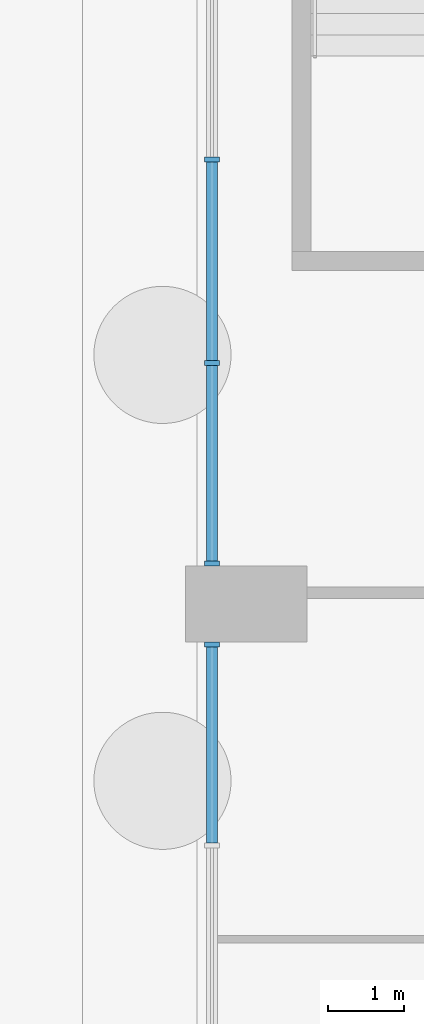
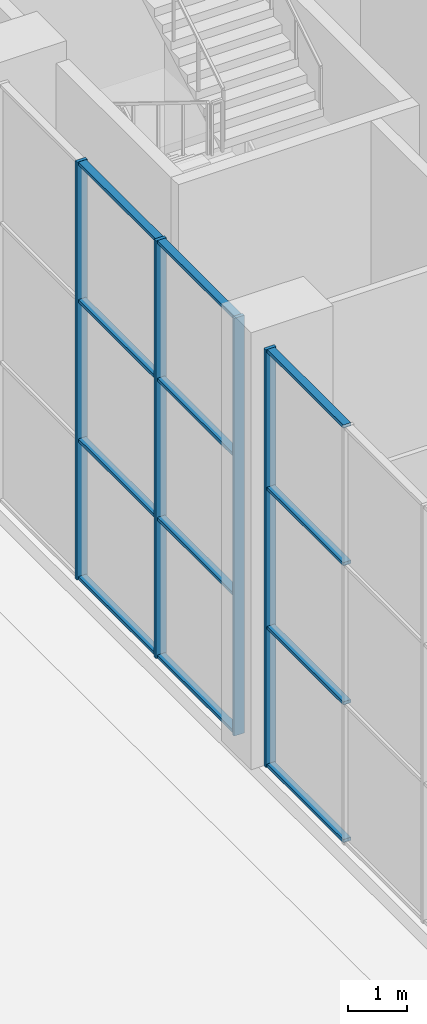
# One storey, part 3 of 25: 16 members, 2 elements without a shape of their own.
"""IFC4 building model written with IfcOpenShell, lengths in metres."""

from ifc_helpers import new_model, si_unit, direction, frame, origin, origin_2d, place, context, subcontext, project, spatial, rectangle, extrude, material, material_profile, profile_set, type_object, element, aggregate, save


model = new_model("IFC4")

# Units and contexts
model_context = context("Model", 3, precision=1e-05, world=origin(), true_north=direction((0.0, 1.0)))
body_context = subcontext(model_context, "Body", "Model", "MODEL_VIEW")
ifc_project = project(units=[si_unit("LENGTHUNIT", "METRE"), si_unit("AREAUNIT", "SQUARE_METRE"), si_unit("VOLUMEUNIT", "CUBIC_METRE"), si_unit("PLANEANGLEUNIT", "RADIAN"), si_unit("MASSUNIT", "GRAM", prefix="KILO")], contexts=[model_context])

# Site, building, storey
site_placement = place(None, origin())
site = spatial("IfcSite", under=ifc_project, at=site_placement, CompositionType="ELEMENT")
building_placement = place(site_placement, origin())
building = spatial("IfcBuilding", under=site, at=building_placement, Name="Cypress Arch Tower", CompositionType="ELEMENT")
storey_placement = place(building_placement, origin())
storey = spatial("IfcBuildingStorey", under=building, at=storey_placement, Name="L00", CompositionType="ELEMENT", Elevation=0.0)

# Curtain wall, members
ifc_material_1 = material(Name="Anodised aluminium, bronze finish, clear laminated low-emissivity double glazing", Category="aluminium")
curtain_wall_type = type_object("IfcCurtainWallType", Name="Curtain wall CW1 ground storefront", PredefinedType="NOTDEFINED", material=ifc_material_1)
curtain_wall_1_placement = place(storey_placement, origin())
curtain_wall_1 = element("IfcCurtainWall", 1, at=curtain_wall_1_placement, inside=storey, type_object=curtain_wall_type, Name="Curtain wall L00 P04.1.1", PredefinedType="NOTDEFINED")
ifc_material_2 = material(Name="Anodised aluminium, bronze finish", Category="aluminium")
ifc_material_profile_1 = material_profile(ifc_material_2, rectangle(XDim=0.199951171875, YDim=0.06494140625, at=origin_2d()), Name="Mullion 65x200")
ifc_profile_set_1 = profile_set([ifc_material_profile_1], Name="Anodised aluminium, bronze finish")
member_type_1 = type_object("IfcMemberType", Name="Mullion CW1 65x200", PredefinedType="MULLION", material=ifc_profile_set_1)
member_1_placement = place(storey_placement, frame((-38.800048828125, 19.333251953125, 0.0), z_axis=(0.0, 0.0, 1.0), x_axis=(1.0, 0.0, 0.0)))
member_1 = element("IfcMember", 2, at=member_1_placement, type_object=member_type_1, Name="CW1 mullion 2", PredefinedType="MULLION", context=body_context, shape_type="SweptSolid", body=[
    extrude(rectangle(XDim=0.199951171875, YDim=0.06494140625, at=origin_2d()), origin(), (0.0, 0.0, 1.0), 8.60009765625),
])
member_2_placement = place(storey_placement, frame((-38.800048828125, 16.666748046875, 0.0), z_axis=(0.0, 0.0, 1.0), x_axis=(1.0, 0.0, 0.0)))
member_2 = element("IfcMember", 3, at=member_2_placement, type_object=member_type_1, Name="CW1 mullion 3", PredefinedType="MULLION", context=body_context, shape_type="SweptSolid", body=[
    extrude(rectangle(XDim=0.199951171875, YDim=0.06494140625, at=origin_2d()), origin(), (0.0, 0.0, 1.0), 8.60009765625),
])
member_3_placement = place(storey_placement, frame((-38.800048828125, 14.032470703125, 0.0), z_axis=(0.0, 0.0, 1.0), x_axis=(1.0, 0.0, 0.0)))
member_3 = element("IfcMember", 4, at=member_3_placement, type_object=member_type_1, Name="CW1 mullion 4", PredefinedType="MULLION", context=body_context, shape_type="SweptSolid", body=[
    extrude(rectangle(XDim=0.199951171875, YDim=0.06494140625, at=origin_2d()), origin(), (0.0, 0.0, 1.0), 8.60009765625),
])

# Curtain wall, member
curtain_wall_2_placement = place(storey_placement, origin())
curtain_wall_2 = element("IfcCurtainWall", 5, at=curtain_wall_2_placement, inside=storey, type_object=curtain_wall_type, Name="Curtain wall L00 P04.2.1", PredefinedType="NOTDEFINED")
member_4_placement = place(storey_placement, frame((-38.800048828125, 12.967529296875, 0.0), z_axis=(0.0, 0.0, 1.0), x_axis=(1.0, 0.0, 0.0)))
member_4 = element("IfcMember", 6, at=member_4_placement, type_object=member_type_1, Name="CW1 mullion 1", PredefinedType="MULLION", context=body_context, shape_type="SweptSolid", body=[
    extrude(rectangle(XDim=0.199951171875, YDim=0.06494140625, at=origin_2d()), origin(), (0.0, 0.0, 1.0), 8.60009765625),
])

# Member
ifc_material_3 = material(Name="Anodised aluminium, bronze finish", Category="aluminium")
ifc_material_profile_2 = material_profile(ifc_material_3, rectangle(XDim=0.14990234375, YDim=0.06494140625, at=origin_2d()), Name="Transom 65x150")
ifc_profile_set_2 = profile_set([ifc_material_profile_2], Name="Anodised aluminium, bronze finish")
member_type_2 = type_object("IfcMemberType", Name="Transom CW1 65x150", PredefinedType="USERDEFINED", material=ifc_profile_set_2)
member_5_placement = place(storey_placement, frame((-38.800048828125, 19.30078125, 0.032470703125), z_axis=(0.0, -1.0, 0.0), x_axis=(1.0, 0.0, 0.0)))
member_5 = element("IfcMember", 7, at=member_5_placement, type_object=member_type_2, Name="CW1 transom 2.1", ObjectType="TRANSOM", PredefinedType="USERDEFINED", context=body_context, shape_type="SweptSolid", body=[
    extrude(rectangle(XDim=0.14990234375, YDim=0.06494140625, at=origin_2d()), origin(), (0.0, 0.0, 1.0), 2.6015625),
])

member_6_placement = place(storey_placement, frame((-38.800048828125, 19.30078125, 2.86669921875), z_axis=(0.0, -1.0, 0.0), x_axis=(1.0, 0.0, 0.0)))
member_6 = element("IfcMember", 8, at=member_6_placement, type_object=member_type_2, Name="CW1 transom 2.2", ObjectType="TRANSOM", PredefinedType="USERDEFINED", context=body_context, shape_type="SweptSolid", body=[
    extrude(rectangle(XDim=0.14990234375, YDim=0.06494140625, at=origin_2d()), origin(), (0.0, 0.0, 1.0), 2.6015625),
])

member_7_placement = place(storey_placement, frame((-38.800048828125, 19.30078125, 5.7333984375), z_axis=(0.0, -1.0, 0.0), x_axis=(1.0, 0.0, 0.0)))
member_7 = element("IfcMember", 9, at=member_7_placement, type_object=member_type_2, Name="CW1 transom 2.3", ObjectType="TRANSOM", PredefinedType="USERDEFINED", context=body_context, shape_type="SweptSolid", body=[
    extrude(rectangle(XDim=0.14990234375, YDim=0.06494140625, at=origin_2d()), origin(), (0.0, 0.0, 1.0), 2.6015625),
])

member_8_placement = place(storey_placement, frame((-38.800048828125, 19.30078125, 8.5673828125), z_axis=(0.0, -1.0, 0.0), x_axis=(1.0, 0.0, 0.0)))
member_8 = element("IfcMember", 10, at=member_8_placement, type_object=member_type_2, Name="CW1 transom 2.4", ObjectType="TRANSOM", PredefinedType="USERDEFINED", context=body_context, shape_type="SweptSolid", body=[
    extrude(rectangle(XDim=0.14990234375, YDim=0.06494140625, at=origin_2d()), origin(), (0.0, 0.0, 1.0), 2.6015625),
])

member_9_placement = place(storey_placement, frame((-38.800048828125, 16.63427734375, 0.032470703125), z_axis=(0.0, -1.0, 0.0), x_axis=(1.0, 0.0, 0.0)))
member_9 = element("IfcMember", 11, at=member_9_placement, type_object=member_type_2, Name="CW1 transom 3.1", ObjectType="TRANSOM", PredefinedType="USERDEFINED", context=body_context, shape_type="SweptSolid", body=[
    extrude(rectangle(XDim=0.14990234375, YDim=0.06494140625, at=origin_2d()), origin(), (0.0, 0.0, 1.0), 2.5693359375),
])

member_10_placement = place(storey_placement, frame((-38.800048828125, 16.63427734375, 2.86669921875), z_axis=(0.0, -1.0, 0.0), x_axis=(1.0, 0.0, 0.0)))
member_10 = element("IfcMember", 12, at=member_10_placement, type_object=member_type_2, Name="CW1 transom 3.2", ObjectType="TRANSOM", PredefinedType="USERDEFINED", context=body_context, shape_type="SweptSolid", body=[
    extrude(rectangle(XDim=0.14990234375, YDim=0.06494140625, at=origin_2d()), origin(), (0.0, 0.0, 1.0), 2.5693359375),
])

member_11_placement = place(storey_placement, frame((-38.800048828125, 16.63427734375, 5.7333984375), z_axis=(0.0, -1.0, 0.0), x_axis=(1.0, 0.0, 0.0)))
member_11 = element("IfcMember", 13, at=member_11_placement, type_object=member_type_2, Name="CW1 transom 3.3", ObjectType="TRANSOM", PredefinedType="USERDEFINED", context=body_context, shape_type="SweptSolid", body=[
    extrude(rectangle(XDim=0.14990234375, YDim=0.06494140625, at=origin_2d()), origin(), (0.0, 0.0, 1.0), 2.5693359375),
])

member_12_placement = place(storey_placement, frame((-38.800048828125, 16.63427734375, 8.5673828125), z_axis=(0.0, -1.0, 0.0), x_axis=(1.0, 0.0, 0.0)))
member_12 = element("IfcMember", 14, at=member_12_placement, type_object=member_type_2, Name="CW1 transom 3.4", ObjectType="TRANSOM", PredefinedType="USERDEFINED", context=body_context, shape_type="SweptSolid", body=[
    extrude(rectangle(XDim=0.14990234375, YDim=0.06494140625, at=origin_2d()), origin(), (0.0, 0.0, 1.0), 2.5693359375),
])

aggregate(curtain_wall_1, [member_1, member_2, member_3, member_5, member_6, member_7, member_8, member_9, member_10, member_11, member_12])

member_13_placement = place(storey_placement, frame((-38.800048828125, 12.93505859375, 0.032470703125), z_axis=(0.0, -1.0, 0.0), x_axis=(1.0, 0.0, 0.0)))
member_13 = element("IfcMember", 15, at=member_13_placement, type_object=member_type_2, Name="CW1 transom 1.1", ObjectType="TRANSOM", PredefinedType="USERDEFINED", context=body_context, shape_type="SweptSolid", body=[
    extrude(rectangle(XDim=0.14990234375, YDim=0.06494140625, at=origin_2d()), origin(), (0.0, 0.0, 1.0), 2.5693359375),
])

member_14_placement = place(storey_placement, frame((-38.800048828125, 12.93505859375, 2.86669921875), z_axis=(0.0, -1.0, 0.0), x_axis=(1.0, 0.0, 0.0)))
member_14 = element("IfcMember", 16, at=member_14_placement, type_object=member_type_2, Name="CW1 transom 1.2", ObjectType="TRANSOM", PredefinedType="USERDEFINED", context=body_context, shape_type="SweptSolid", body=[
    extrude(rectangle(XDim=0.14990234375, YDim=0.06494140625, at=origin_2d()), origin(), (0.0, 0.0, 1.0), 2.5693359375),
])

member_15_placement = place(storey_placement, frame((-38.800048828125, 12.93505859375, 5.7333984375), z_axis=(0.0, -1.0, 0.0), x_axis=(1.0, 0.0, 0.0)))
member_15 = element("IfcMember", 17, at=member_15_placement, type_object=member_type_2, Name="CW1 transom 1.3", ObjectType="TRANSOM", PredefinedType="USERDEFINED", context=body_context, shape_type="SweptSolid", body=[
    extrude(rectangle(XDim=0.14990234375, YDim=0.06494140625, at=origin_2d()), origin(), (0.0, 0.0, 1.0), 2.5693359375),
])

member_16_placement = place(storey_placement, frame((-38.800048828125, 12.93505859375, 8.5673828125), z_axis=(0.0, -1.0, 0.0), x_axis=(1.0, 0.0, 0.0)))
member_16 = element("IfcMember", 18, at=member_16_placement, type_object=member_type_2, Name="CW1 transom 1.4", ObjectType="TRANSOM", PredefinedType="USERDEFINED", context=body_context, shape_type="SweptSolid", body=[
    extrude(rectangle(XDim=0.14990234375, YDim=0.06494140625, at=origin_2d()), origin(), (0.0, 0.0, 1.0), 2.5693359375),
])

aggregate(curtain_wall_2, [member_4, member_13, member_14, member_15, member_16])

save(model, "model.ifc")
